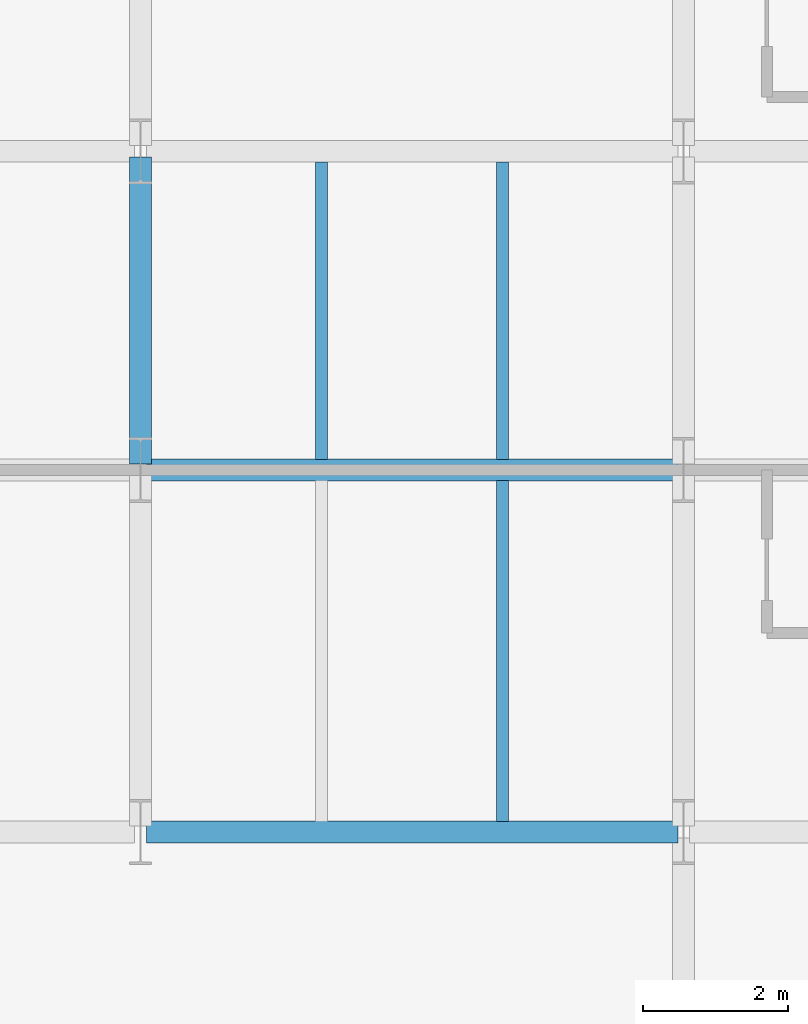
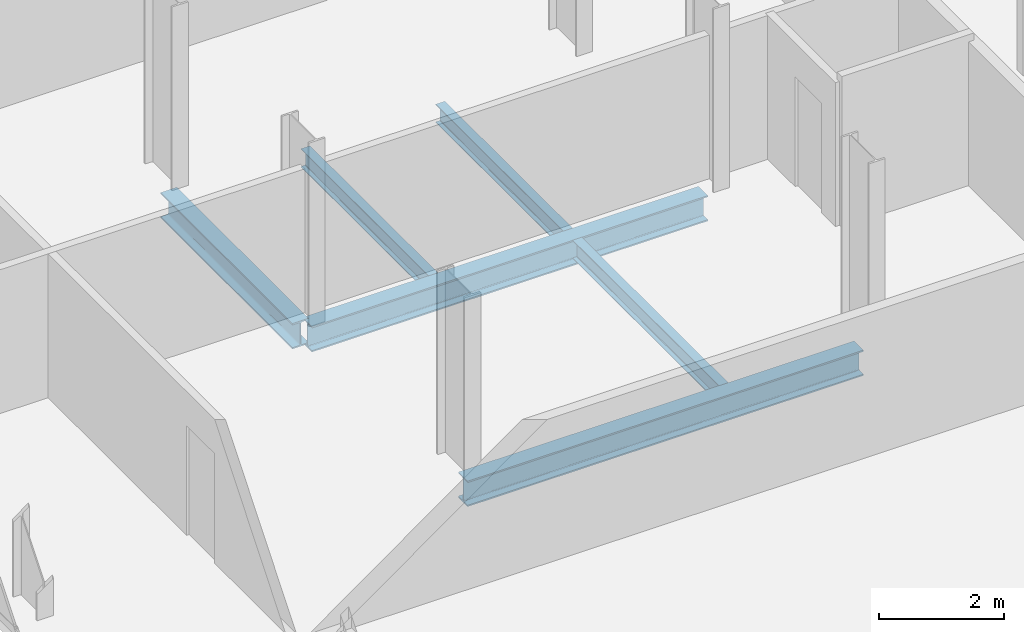
# One storey, part 6 of 33: 6 beams.
"""IFC4 building model written with IfcOpenShell, lengths in metres."""

from ifc_helpers import new_model, si_unit, direction, frame, origin, origin_2d, place, context, subcontext, project, spatial, i_section, extrude, material, material_profile, profile_set, type_object, element, save


model = new_model("IFC4")

# Units and contexts
model_context = context("Model", 3, precision=1e-05, world=origin(), true_north=direction((0.0, 1.0)))
body_context = subcontext(model_context, "Body", "Model", "MODEL_VIEW")
ifc_project = project(units=[si_unit("LENGTHUNIT", "METRE"), si_unit("AREAUNIT", "SQUARE_METRE"), si_unit("VOLUMEUNIT", "CUBIC_METRE"), si_unit("PLANEANGLEUNIT", "RADIAN"), si_unit("MASSUNIT", "GRAM", prefix="KILO")], contexts=[model_context])

# Site, building, storey
site_placement = place(None, origin())
site = spatial("IfcSite", under=ifc_project, at=site_placement, CompositionType="ELEMENT")
building_placement = place(site_placement, origin())
building = spatial("IfcBuilding", under=site, at=building_placement, Name="Catumbela Crestline Tower", CompositionType="ELEMENT")
storey_placement = place(building_placement, frame((0.0, 0.0, 51.0)))
storey = spatial("IfcBuildingStorey", under=building, at=storey_placement, Name="L12", CompositionType="ELEMENT", Elevation=51.0)

# Beams
ifc_material = material(Name="Structural steel S355J2", Category="steel")
ifc_material_profile_1 = material_profile(ifc_material, i_section(OverallWidth=0.3, OverallDepth=0.5, WebThickness=0.0145, FlangeThickness=0.028, FilletRadius=0.027, at=origin_2d()), Name="HEB 500")
ifc_profile_set_1 = profile_set([ifc_material_profile_1], Name="Structural steel S355J2")
beam_type_1 = type_object("IfcBeamType", Name="BG-HEB500", PredefinedType="BEAM", material=ifc_profile_set_1)
for number, where, z_axis, x_axis, name in (
    (1, (8.58, 8.6, -0.51), (1.0, 0.0, 0.0), (0.0, 1.0, 0.0), "L12 Beam BM-L12-WEW49"),
    (2, (8.58, 13.6, -0.51), (1.0, 0.0, 0.0), (0.0, 1.0, 0.0), "L12 Beam BM-L12-WEW52"),
):
    element("IfcBeam", number, at=place(storey_placement, frame(where, z_axis=z_axis, x_axis=x_axis)), inside=storey, type_object=beam_type_1, Name=name, PredefinedType="BEAM", context=body_context, shape_type="SweptSolid", body=[
        extrude(i_section(OverallWidth=0.3, OverallDepth=0.5, WebThickness=0.0145, FlangeThickness=0.028, FilletRadius=0.027, at=origin_2d()), origin(), (0.0, 0.0, 1.0), 7.34),
    ])
beam_1_placement = place(storey_placement, frame((8.5, 13.68, -0.51), z_axis=(0.0, 1.0, 0.0), x_axis=(-1.0, 0.0, 0.0)))
element("IfcBeam", 3, at=beam_1_placement, inside=storey, type_object=beam_type_1, Name="L12 Beam BM-L12-WNS62", PredefinedType="BEAM", context=body_context, shape_type="SweptSolid", body=[
    extrude(i_section(OverallWidth=0.3, OverallDepth=0.5, WebThickness=0.0145, FlangeThickness=0.028, FilletRadius=0.027, at=origin_2d()), origin(), (0.0, 0.0, 1.0), 4.24),
])
ifc_material_profile_2 = material_profile(ifc_material, i_section(OverallWidth=0.17, OverallDepth=0.36, WebThickness=0.008, FlangeThickness=0.0127, FilletRadius=0.018, at=origin_2d()), Name="IPE 360")
ifc_profile_set_2 = profile_set([ifc_material_profile_2], Name="Structural steel S355J2")
beam_type_2 = type_object("IfcBeamType", Name="BJ-IPE360", PredefinedType="JOIST", material=ifc_profile_set_2)
beam_2_placement = place(storey_placement, frame((13.5, 8.747, -0.44), z_axis=(0.0, 1.0, 0.0), x_axis=(-1.0, 0.0, 0.0)))
element("IfcBeam", 4, at=beam_2_placement, inside=storey, type_object=beam_type_2, Name="L12 Joist JS-L12-WG73", PredefinedType="JOIST", context=body_context, shape_type="SweptSolid", body=[
    extrude(i_section(OverallWidth=0.17, OverallDepth=0.36, WebThickness=0.008, FlangeThickness=0.0127, FilletRadius=0.018, at=origin_2d()), origin(), (0.0, 0.0, 1.0), 4.706),
])
for number, where, z_axis, x_axis, name in (
    (5, (11.0, 13.747, -0.44), (0.0, 1.0, 0.0), (-1.0, 0.0, 0.0), "L12 Joist JS-L12-WG78"),
    (6, (13.5, 13.747, -0.44), (0.0, 1.0, 0.0), (-1.0, 0.0, 0.0), "L12 Joist JS-L12-WG79"),
):
    element("IfcBeam", number, at=place(storey_placement, frame(where, z_axis=z_axis, x_axis=x_axis)), inside=storey, type_object=beam_type_2, Name=name, PredefinedType="JOIST", context=body_context, shape_type="SweptSolid", body=[
        extrude(i_section(OverallWidth=0.17, OverallDepth=0.36, WebThickness=0.008, FlangeThickness=0.0127, FilletRadius=0.018, at=origin_2d()), origin(), (0.0, 0.0, 1.0), 4.106),
    ])

save(model, "model.ifc")
